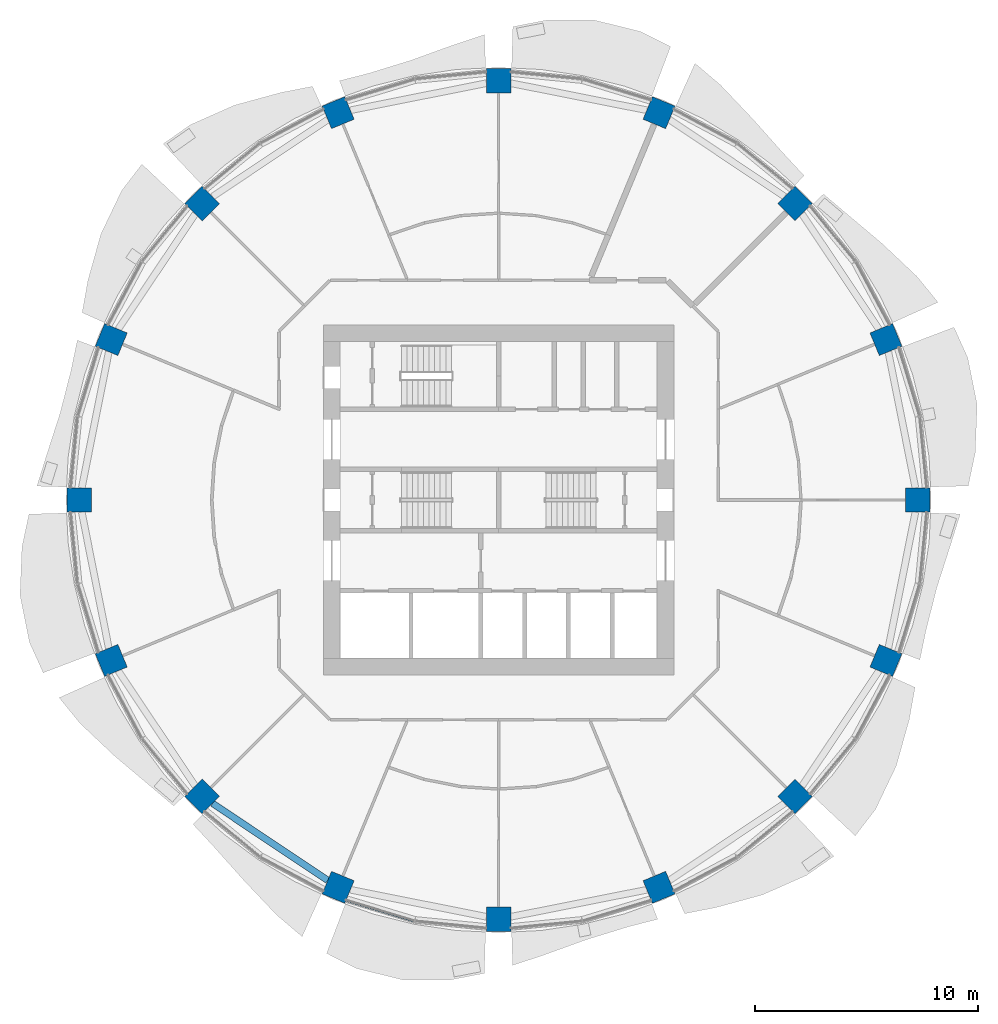
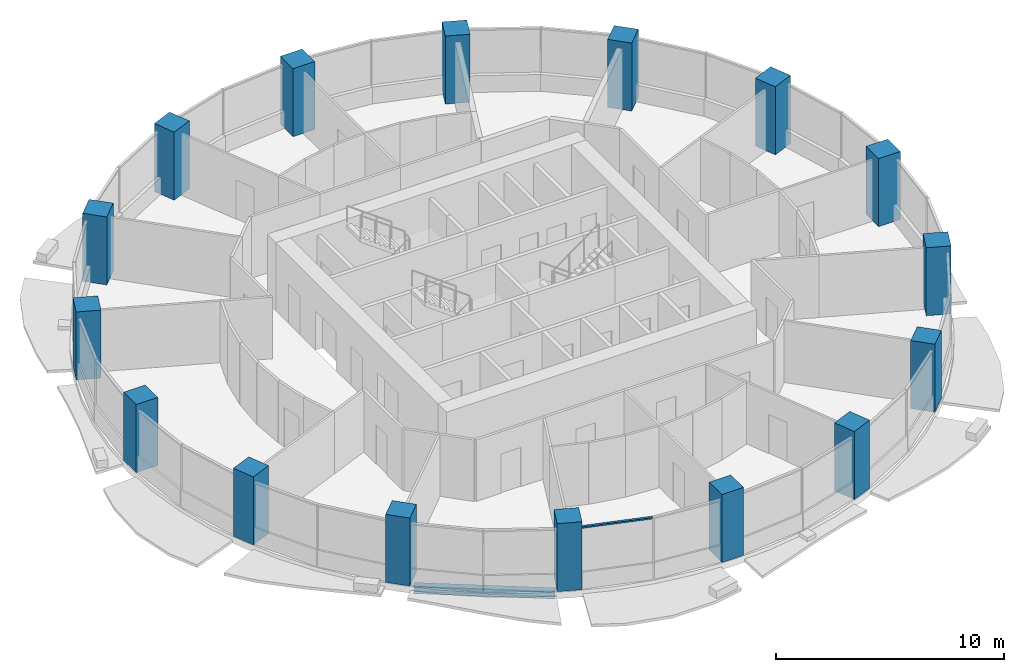
# One storey, part 1 of 15: 16 columns, 1 beam, 1 member, 1 element without a shape of its own.
"""IFC4 building model written with IfcOpenShell, lengths in metres."""

from ifc_helpers import new_model, si_unit, direction, frame, origin, origin_2d, place, context, subcontext, project, spatial, rectangle, i_section, extrude, material, material_profile, profile_set, type_object, element, aggregate, save


model = new_model("IFC4")

# Units and contexts
model_context = context("Model", 3, precision=1e-05, world=origin(), true_north=direction((0.0, 1.0)))
body_context = subcontext(model_context, "Body", "Model", "MODEL_VIEW")
ifc_project = project(units=[si_unit("LENGTHUNIT", "METRE"), si_unit("AREAUNIT", "SQUARE_METRE"), si_unit("VOLUMEUNIT", "CUBIC_METRE"), si_unit("PLANEANGLEUNIT", "RADIAN"), si_unit("MASSUNIT", "GRAM", prefix="KILO")], contexts=[model_context])

# Site, building, storey
site_placement = place(None, origin())
site = spatial("IfcSite", under=ifc_project, at=site_placement, CompositionType="ELEMENT")
building_placement = place(site_placement, origin())
building = spatial("IfcBuilding", under=site, at=building_placement, Name="Polderwave Tower", CompositionType="ELEMENT")
storey_placement = place(building_placement, frame((0.0, 0.0, 72.75)))
storey = spatial("IfcBuildingStorey", under=building, at=storey_placement, Name="L18", CompositionType="ELEMENT", Elevation=72.75)

# Columns
ifc_material_1 = material(Name="Concrete C70/85", Category="concrete")
ifc_material_profile_1 = material_profile(ifc_material_1, rectangle(XDim=1.10009765625, YDim=1.10009765625, at=origin_2d()), Name="RC 1100x1100")
ifc_profile_set_1 = profile_set([ifc_material_profile_1], Name="Concrete C70/85")
column_type = type_object("IfcColumnType", Name="RC COLUMN 1100x1100 C70/85", PredefinedType="COLUMN", material=ifc_profile_set_1)
for number, where, z_axis, x_axis, name in (
    (1, (18.840087890625, 0.0, 0.0), (0.0, 0.0, 1.0), (1.0, 0.0, 0.0), "Ring column 01"),
    (2, (17.406005859375, 7.209716796875, 0.0), (0.0, 0.0, 1.0), (0.923879532511, 0.382683432365, 0.0), "Ring column 02"),
    (3, (13.32177734375, 13.32177734375, 0.0), (0.0, 0.0, 1.0), (0.707106781187, 0.707106781187, 0.0), "Ring column 03"),
    (4, (7.209716796875, 17.406005859375, 0.0), (0.0, 0.0, 1.0), (0.382683432365, 0.923879532511, 0.0), "Ring column 04"),
    (5, (0.0, 18.840087890625, 0.0), (0.0, 0.0, 1.0), (0.0, 1.0, 0.0), "Ring column 05"),
    (6, (-7.209716796875, 17.406005859375, 0.0), (0.0, 0.0, 1.0), (-0.382683432365, 0.923879532511, 0.0), "Ring column 06"),
    (7, (-13.32177734375, 13.32177734375, 0.0), (0.0, 0.0, 1.0), (-0.707106781187, 0.707106781187, 0.0), "Ring column 07"),
    (8, (-17.406005859375, 7.209716796875, 0.0), (0.0, 0.0, 1.0), (-0.923879532511, 0.382683432365, 0.0), "Ring column 08"),
    (9, (-18.840087890625, 0.0, 0.0), (0.0, 0.0, 1.0), (-1.0, 0.0, 0.0), "Ring column 09"),
    (10, (-17.406005859375, -7.209716796875, 0.0), (0.0, 0.0, 1.0), (-0.923879532511, -0.382683432365, 0.0), "Ring column 10"),
    (11, (-13.32177734375, -13.32177734375, 0.0), (0.0, 0.0, 1.0), (-0.707106781187, -0.707106781187, 0.0), "Ring column 11"),
    (12, (-7.209716796875, -17.406005859375, 0.0), (0.0, 0.0, 1.0), (-0.382683432365, -0.923879532511, 0.0), "Ring column 12"),
    (13, (0.0, -18.840087890625, 0.0), (0.0, 0.0, 1.0), (0.0, -1.0, 0.0), "Ring column 13"),
    (14, (7.209716796875, -17.406005859375, 0.0), (0.0, 0.0, 1.0), (0.382683432365, -0.923879532511, 0.0), "Ring column 14"),
    (15, (13.32177734375, -13.32177734375, 0.0), (0.0, 0.0, 1.0), (0.707106781187, -0.707106781187, 0.0), "Ring column 15"),
    (16, (17.406005859375, -7.209716796875, 0.0), (0.0, 0.0, 1.0), (0.923879532511, -0.382683432365, 0.0), "Ring column 16"),
):
    element("IfcColumn", number, at=place(storey_placement, frame(where, z_axis=z_axis, x_axis=x_axis)), inside=storey, type_object=column_type, Name=name, PredefinedType="COLUMN", context=body_context, shape_type="SweptSolid", body=[
        extrude(rectangle(XDim=1.10009765625, YDim=1.10009765625, at=origin_2d()), origin(), (0.0, 0.0, 1.0), 3.64990234375),
    ])

# Curtain wall, member
ifc_material_2 = material(Name="Aluminium 6063-T6 and glass", Category="aluminium")
curtain_wall_type = type_object("IfcCurtainWallType", Name="Growing floor ribbon glazing wall", PredefinedType="NOTDEFINED", material=ifc_material_2)
curtain_wall_placement = place(storey_placement, origin())
curtain_wall = element("IfcCurtainWall", 17, at=curtain_wall_placement, inside=storey, type_object=curtain_wall_type, Name="CW2 L18 11", PredefinedType="NOTDEFINED")
ifc_material_3 = material(Name="Aluminium 6063-T6", Category="aluminium")
ifc_material_profile_2 = material_profile(ifc_material_3, rectangle(XDim=0.1201171875, YDim=0.080078125, at=origin_2d()), Name="AL 80x120")
ifc_profile_set_2 = profile_set([ifc_material_profile_2], Name="Aluminium 6063-T6")
member_type = type_object("IfcMemberType", Name="Growing floor ribbon glazing transom 80x120", PredefinedType="USERDEFINED", material=ifc_profile_set_2)
member_placement = place(storey_placement, frame((-6.85302734375, -17.98193359375, 3.260009765625), z_axis=(0.956954412848, -0.290238267171, 0.0), x_axis=(0.290238267171, 0.956954412848, 0.0)))
member = element("IfcMember", 18, at=member_placement, type_object=member_type, Name="CW2 transom 1", ObjectType="TRANSOM", PredefinedType="USERDEFINED", context=body_context, shape_type="SweptSolid", body=[
    extrude(rectangle(XDim=0.1201171875, YDim=0.080078125, at=origin_2d()), origin(), (0.0, 0.0, 1.0), 3.198974609375),
])
aggregate(curtain_wall, [member])

# Beam
ifc_material_4 = material(Name="Steel S355", Category="steel")
ifc_material_profile_3 = material_profile(ifc_material_4, i_section(OverallWidth=0.300048828125, OverallDepth=0.39990234375, WebThickness=0.013427734375, FlangeThickness=0.02392578125, at=origin_2d()), Name="HE 400 B")
ifc_profile_set_3 = profile_set([ifc_material_profile_3], Name="Steel S355")
beam_type = type_object("IfcBeamType", Name="RING BEAM HE 400 B", PredefinedType="BEAM", material=ifc_profile_set_3)
beam_placement = place(storey_placement, frame((-12.855712890625, -13.633544921875, -0.550048828125), z_axis=(0.831489127752, -0.555541024975, 0.0), x_axis=(0.555541024975, 0.831489127752, 0.0)))
element("IfcBeam", 19, at=beam_placement, inside=storey, type_object=beam_type, Name="ST-RB-L18-10", PredefinedType="BEAM", context=body_context, shape_type="SweptSolid", body=[
    extrude(i_section(OverallWidth=0.300048828125, OverallDepth=0.39990234375, WebThickness=0.013427734375, FlangeThickness=0.02392578125, at=origin_2d()), origin(), (0.0, 0.0, 1.0), 6.2294921875),
])

save(model, "model.ifc")
